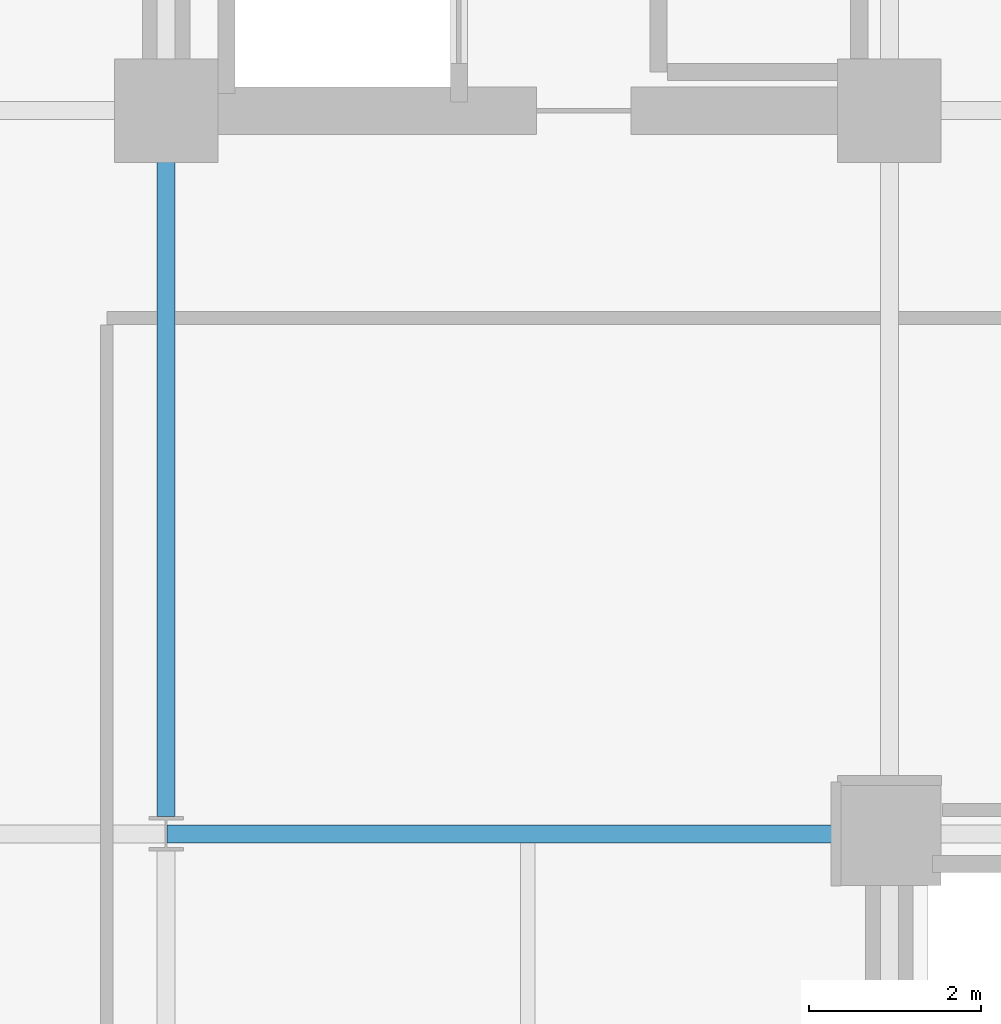
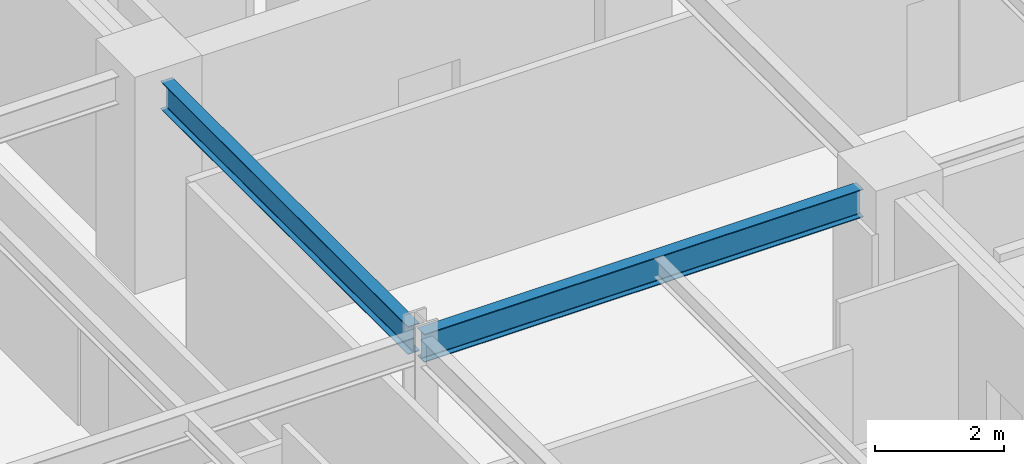
# One storey, part 9 of 30: 2 beams.
"""IFC4 building model written with IfcOpenShell, lengths in metres."""

from ifc_helpers import new_model, si_unit, direction, frame, origin, origin_2d, place, context, subcontext, project, spatial, i_section, extrude, material, material_profile, profile_set, type_object, element, save


model = new_model("IFC4")

# Units and contexts
model_context = context("Model", 3, precision=1e-05, world=origin(), true_north=direction((0.0, 1.0)))
body_context = subcontext(model_context, "Body", "Model", "MODEL_VIEW")
ifc_project = project(units=[si_unit("LENGTHUNIT", "METRE"), si_unit("AREAUNIT", "SQUARE_METRE"), si_unit("VOLUMEUNIT", "CUBIC_METRE"), si_unit("PLANEANGLEUNIT", "RADIAN"), si_unit("MASSUNIT", "GRAM", prefix="KILO")], contexts=[model_context])

# Site, building, storey
site_placement = place(None, origin())
site = spatial("IfcSite", under=ifc_project, at=site_placement, CompositionType="ELEMENT")
building_placement = place(site_placement, origin())
building = spatial("IfcBuilding", under=site, at=building_placement, Name="Nerrivon Quay Data Exchange", CompositionType="ELEMENT")
storey_placement = place(building_placement, frame((0.0, 0.0, 129.5)))
storey = spatial("IfcBuildingStorey", under=building, at=storey_placement, Name="L30", CompositionType="ELEMENT", Elevation=129.5)

# Beams
ifc_material = material(Name="Steel Grade 350", Category="steel")
ifc_material_profile_1 = material_profile(ifc_material, i_section(OverallWidth=0.208984375, OverallDepth=0.532958984375, WebThickness=0.01025390625, FlangeThickness=0.015625, FilletRadius=0.013916015625, at=origin_2d()), Name="530UB92.4")
ifc_profile_set_1 = profile_set([ifc_material_profile_1], Name="Steel Grade 350")
beam_type_1 = type_object("IfcBeamType", Name="BM-G3-530UB92", PredefinedType="BEAM", material=ifc_profile_set_1)
beam_1_placement = place(storey_placement, frame((8.41259765625, 16.800048828125, 3.55859375), z_axis=(1.0, 0.0, 0.0), x_axis=(0.0, 1.0, 0.0)))
element("IfcBeam", 1, at=beam_1_placement, inside=storey, type_object=beam_type_1, Name="L30 EW Girder Y=16.8 (8.4..16.8)", PredefinedType="BEAM", context=body_context, shape_type="SweptSolid", body=[
    extrude(i_section(OverallWidth=0.208984375, OverallDepth=0.532958984375, WebThickness=0.01025390625, FlangeThickness=0.015625, FilletRadius=0.013916015625, at=origin_2d()), origin(), (0.0, 0.0, 1.0), 7.847412109375),
])
ifc_material_profile_2 = material_profile(ifc_material, i_section(OverallWidth=0.208984375, OverallDepth=0.528076171875, WebThickness=0.009521484375, FlangeThickness=0.01318359375, FilletRadius=0.013916015625, at=origin_2d()), Name="530UB82.0")
ifc_profile_set_2 = profile_set([ifc_material_profile_2], Name="Steel Grade 350")
beam_type_2 = type_object("IfcBeamType", Name="BM-G4-530UB82", PredefinedType="BEAM", material=ifc_profile_set_2)
beam_2_placement = place(storey_placement, frame((8.39990234375, 17.0, 3.56103515625), z_axis=(0.0, 1.0, 0.0), x_axis=(-1.0, 0.0, 0.0)))
element("IfcBeam", 2, at=beam_2_placement, inside=storey, type_object=beam_type_2, Name="L30 NS Girder X=8.4 (16.8..25.2)", PredefinedType="BEAM", context=body_context, shape_type="SweptSolid", body=[
    extrude(i_section(OverallWidth=0.208984375, OverallDepth=0.528076171875, WebThickness=0.009521484375, FlangeThickness=0.01318359375, FilletRadius=0.013916015625, at=origin_2d()), origin(), (0.0, 0.0, 1.0), 7.659912109375),
])

save(model, "model.ifc")
